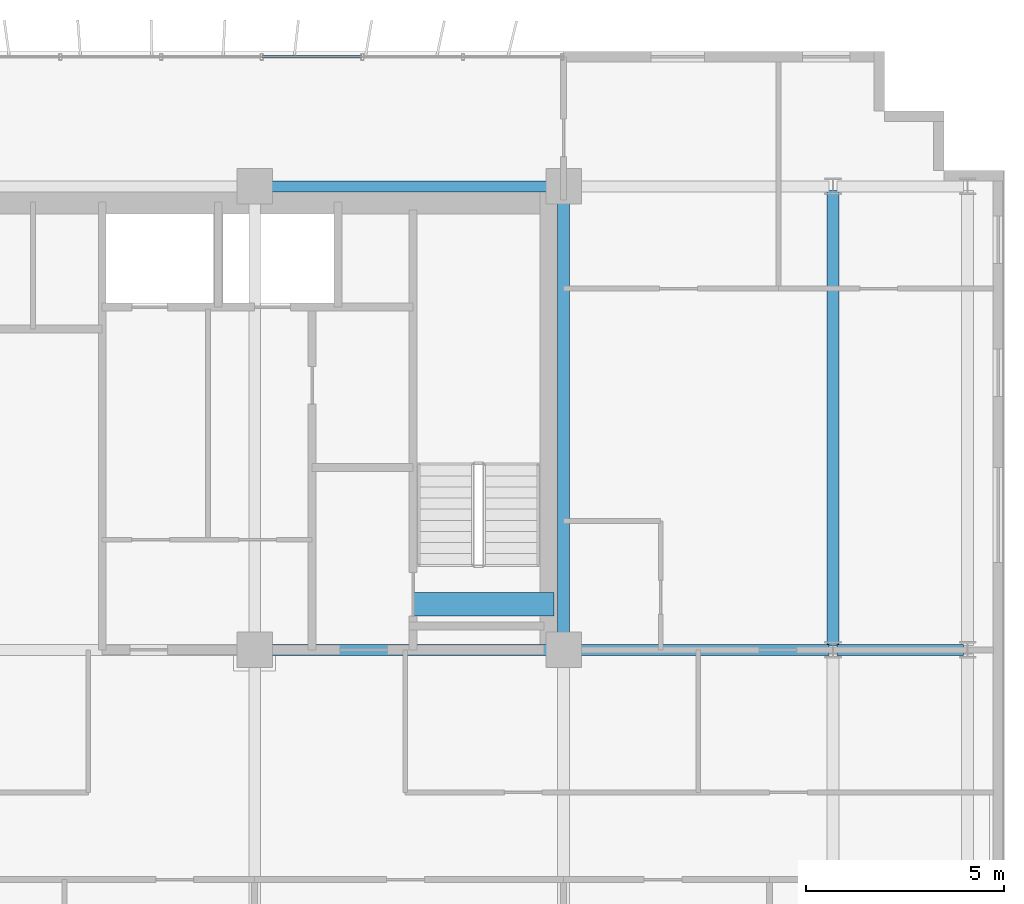
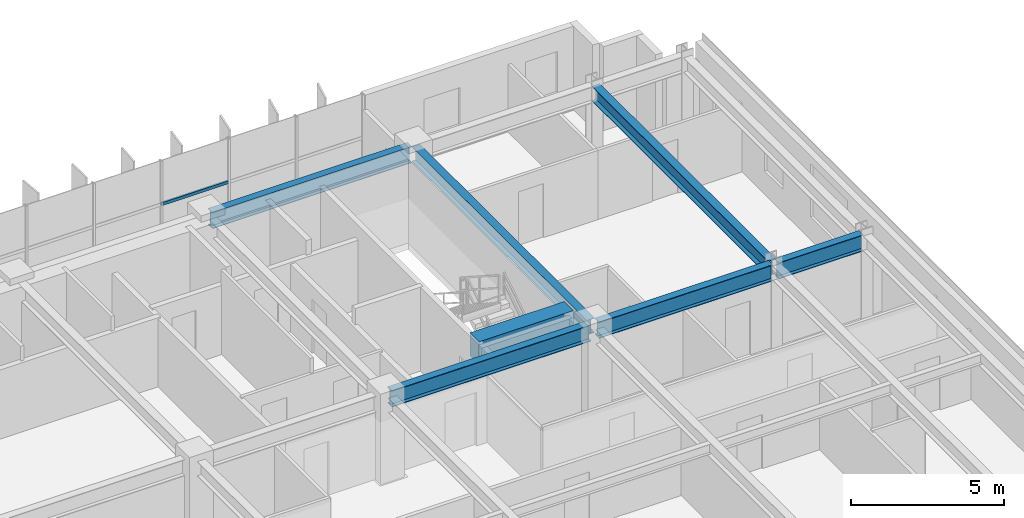
# One storey, part 11 of 22: 7 beams, 1 member, 1 element without a shape of its own.
"""IFC4 building model written with IfcOpenShell, lengths in metres."""

from ifc_helpers import new_model, si_unit, direction, frame, origin, origin_2d, place, context, subcontext, project, spatial, rectangle, hollow_rectangle, i_section, extrude, source, transform, mapped, material, material_profile, profile_set, type_object, element, aggregate, save


model = new_model("IFC4")

# Units and contexts
model_context = context("Model", 3, precision=1e-05, world=origin(), true_north=direction((0.0, 1.0)))
body_context = subcontext(model_context, "Body", "Model", "MODEL_VIEW")
ifc_project = project(units=[si_unit("LENGTHUNIT", "METRE"), si_unit("AREAUNIT", "SQUARE_METRE"), si_unit("VOLUMEUNIT", "CUBIC_METRE"), si_unit("PLANEANGLEUNIT", "RADIAN"), si_unit("MASSUNIT", "GRAM", prefix="KILO")], contexts=[model_context])

# Site, building, storey
site_placement = place(None, origin())
site = spatial("IfcSite", under=ifc_project, at=site_placement, CompositionType="ELEMENT")
building_placement = place(site_placement, origin())
building = spatial("IfcBuilding", under=site, at=building_placement, Name="Trelvane Seafront Commons", CompositionType="ELEMENT")
storey_placement = place(building_placement, frame((0.0, 0.0, 45.10009765625)))
storey = spatial("IfcBuildingStorey", under=building, at=storey_placement, Name="L11", CompositionType="ELEMENT", Elevation=45.10009765625)

# Beams
ifc_material_1 = material(Name="Concrete C60/75", Category="concrete")
ifc_material_profile_1 = material_profile(ifc_material_1, rectangle(XDim=0.60009765625, YDim=0.89990234375, at=origin_2d()), Name="RC-600x900")
ifc_profile_set_1 = profile_set([ifc_material_profile_1], Name="Concrete C60/75")
beam_type_1 = type_object("IfcBeamType", Name="STR-LNT-RC600x900", PredefinedType="LINTEL", material=ifc_profile_set_1)
shared_shape_1 = source(origin(), body_context, "Body", "SweptSolid", [
    extrude(rectangle(XDim=0.60009765625, YDim=0.89990234375, at=origin_2d()), origin(), (0.0, 0.0, 1.0), 3.550048828125),
])
beam_1_placement = place(storey_placement, frame((55.0, 34.550048828125, 2.889892578125), z_axis=(1.0, 0.0, 0.0), x_axis=(0.0, 1.0, 0.0)))
element("IfcBeam", 1, at=beam_1_placement, inside=storey, type_object=beam_type_1, Name="L11 Core Coupling Lintel Beam CB-86", PredefinedType="LINTEL", context=body_context, shape_type="MappedRepresentation", body=[
    mapped(shared_shape_1, transform((0.0, 0.0, 0.0), x_axis=(1.0, 0.0, 0.0), y_axis=(0.0, 1.0, 0.0), z_axis=(0.0, 0.0, 1.0), scale=1.0)),
])
ifc_material_2 = material(Name="Steel SM355 (S355)", Category="steel")
ifc_material_profile_2 = material_profile(ifc_material_2, i_section(OverallWidth=0.280029296875, OverallDepth=0.64990234375, WebThickness=0.012939453125, FlangeThickness=0.02197265625, at=origin_2d()), Name="H-650x280x13x22")
ifc_profile_set_2 = profile_set([ifc_material_profile_2], Name="Steel SM355 (S355)")
beam_type_2 = type_object("IfcBeamType", Name="STR-BM-H650", PredefinedType="BEAM", material=ifc_profile_set_2)
shared_shape_2 = source(origin(), body_context, "Body", "SweptSolid", [
    extrude(i_section(OverallWidth=0.280029296875, OverallDepth=0.64990234375, WebThickness=0.012939453125, FlangeThickness=0.02197265625, at=origin_2d()), origin(), (0.0, 0.0, 1.0), 3.18994140625),
])
beam_2_placement = place(storey_placement, frame((65.705078125, 33.39990234375, 3.014892578125), z_axis=(1.0, 0.0, 0.0), x_axis=(0.0, 1.0, 0.0)))
element("IfcBeam", 2, at=beam_2_placement, inside=storey, type_object=beam_type_2, Name="L11 Primary Girder G-27", PredefinedType="BEAM", context=body_context, shape_type="MappedRepresentation", body=[
    mapped(shared_shape_2, transform((0.0, 0.0, 0.0), x_axis=(1.0, 0.0, 0.0), y_axis=(0.0, 1.0, 0.0), z_axis=(0.0, 0.0, 1.0), scale=1.0)),
])
shared_shape_3 = source(origin(), body_context, "Body", "SweptSolid", [
    extrude(i_section(OverallWidth=0.280029296875, OverallDepth=0.64990234375, WebThickness=0.012939453125, FlangeThickness=0.02197265625, at=origin_2d()), origin(), (0.0, 0.0, 1.0), 6.545166015625),
])
beam_3_placement = place(storey_placement, frame((58.949951171875, 33.39990234375, 3.014892578125), z_axis=(1.0, 0.0, 0.0), x_axis=(0.0, 1.0, 0.0)))
element("IfcBeam", 3, at=beam_3_placement, inside=storey, type_object=beam_type_2, Name="L11 Primary Girder G-26", PredefinedType="BEAM", context=body_context, shape_type="MappedRepresentation", body=[
    mapped(shared_shape_3, transform((0.0, 0.0, 0.0), x_axis=(1.0, 0.0, 0.0), y_axis=(0.0, 1.0, 0.0), z_axis=(0.0, 0.0, 1.0), scale=1.0)),
])
shared_shape_4 = source(origin(), body_context, "Body", "SweptSolid", [
    extrude(i_section(OverallWidth=0.280029296875, OverallDepth=0.64990234375, WebThickness=0.012939453125, FlangeThickness=0.02197265625, at=origin_2d()), origin(), (0.0, 0.0, 1.0), 7.5),
])
for number, where, z_axis, x_axis, name in (
    (4, (51.14990234375, 33.39990234375, 3.014892578125), (1.0, 0.0, 0.0), (0.0, 1.0, 0.0), "L11 Primary Girder G-25"),
    (5, (51.14990234375, 45.10009765625, 3.014892578125), (1.0, 0.0, 0.0), (0.0, 1.0, 0.0), "L11 Primary Girder G-34"),
):
    element("IfcBeam", number, at=place(storey_placement, frame(where, z_axis=z_axis, x_axis=x_axis)), inside=storey, type_object=beam_type_2, Name=name, PredefinedType="BEAM", context=body_context, shape_type="MappedRepresentation", body=[
        mapped(shared_shape_4, transform((0.0, 0.0, 0.0), x_axis=(1.0, 0.0, 0.0), y_axis=(0.0, 1.0, 0.0), z_axis=(0.0, 0.0, 1.0), scale=1.0)),
    ])
ifc_material_profile_3 = material_profile(ifc_material_2, i_section(OverallWidth=0.300048828125, OverallDepth=0.587890625, WebThickness=0.011962890625, FlangeThickness=0.02001953125, at=origin_2d()), Name="H-588x300x12x20")
ifc_profile_set_3 = profile_set([ifc_material_profile_3], Name="Steel SM355 (S355)")
beam_type_3 = type_object("IfcBeamType", Name="STR-BM-H588", PredefinedType="BEAM", material=ifc_profile_set_3)
shared_shape_5 = source(origin(), body_context, "Body", "SweptSolid", [
    extrude(i_section(OverallWidth=0.300048828125, OverallDepth=0.587890625, WebThickness=0.011962890625, FlangeThickness=0.02001953125, at=origin_2d()), origin(), (0.0, 0.0, 1.0), 11.490234375),
])
beam_4_placement = place(storey_placement, frame((65.60009765625, 33.5048828125, 3.0458984375), z_axis=(0.0, 1.0, 0.0), x_axis=(-1.0, 0.0, 0.0)))
element("IfcBeam", 6, at=beam_4_placement, inside=storey, type_object=beam_type_3, Name="L11 Primary Girder G-63", PredefinedType="BEAM", context=body_context, shape_type="MappedRepresentation", body=[
    mapped(shared_shape_5, transform((0.0, 0.0, 0.0), x_axis=(1.0, 0.0, 0.0), y_axis=(0.0, 1.0, 0.0), z_axis=(0.0, 0.0, 1.0), scale=1.0)),
])
shared_shape_6 = source(origin(), body_context, "Body", "SweptSolid", [
    extrude(i_section(OverallWidth=0.300048828125, OverallDepth=0.587890625, WebThickness=0.011962890625, FlangeThickness=0.02001953125, at=origin_2d()), origin(), (0.0, 0.0, 1.0), 11.39990234375),
])
beam_5_placement = place(storey_placement, frame((58.800048828125, 33.550048828125, 3.0458984375), z_axis=(0.0, 1.0, 0.0), x_axis=(-1.0, 0.0, 0.0)))
element("IfcBeam", 7, at=beam_5_placement, inside=storey, type_object=beam_type_3, Name="L11 Primary Girder G-60", PredefinedType="BEAM", context=body_context, shape_type="MappedRepresentation", body=[
    mapped(shared_shape_6, transform((0.0, 0.0, 0.0), x_axis=(1.0, 0.0, 0.0), y_axis=(0.0, 1.0, 0.0), z_axis=(0.0, 0.0, 1.0), scale=1.0)),
])

# Curtain wall, member
ifc_material_3 = material(Name="Anodised pale-silver aluminium", Category="aluminium")
curtain_wall_type = type_object("IfcCurtainWallType", Name="ARCH-CW2-LOWTOWER", PredefinedType="NOTDEFINED", material=ifc_material_3)
curtain_wall_placement = place(storey_placement, origin())
curtain_wall = element("IfcCurtainWall", 8, at=curtain_wall_placement, inside=storey, type_object=curtain_wall_type, Name="CW-L11-0035", PredefinedType="NOTDEFINED")
ifc_material_profile_4 = material_profile(ifc_material_3, hollow_rectangle(XDim=0.070068359375, YDim=0.1201171875, WallThickness=0.00390625, at=origin_2d()), Name="TRAN-70x120x4")
ifc_profile_set_4 = profile_set([ifc_material_profile_4], Name="Anodised pale-silver aluminium")
member_type = type_object("IfcMemberType", Name="ARCH-CW-TRAN-120", PredefinedType="USERDEFINED", material=ifc_profile_set_4)
shared_shape_7 = source(origin(), body_context, "Body", "SweptSolid", [
    extrude(hollow_rectangle(XDim=0.070068359375, YDim=0.1201171875, WallThickness=0.00390625, at=origin_2d()), origin(), (0.0, 0.0, 1.0), 2.51708984375),
])
member_placement = place(storey_placement, frame((51.1884765625, 48.3701171875, 1.602783203125), z_axis=(1.0, 0.0, 0.0), x_axis=(0.0, 1.0, 0.0)))
member = element("IfcMember", 9, at=member_placement, type_object=member_type, Name="CW-L11-0035-T14", ObjectType="TRANSOM", PredefinedType="USERDEFINED", context=body_context, shape_type="MappedRepresentation", body=[
    mapped(shared_shape_7, transform((0.0, 0.0, 0.0), x_axis=(1.0, 0.0, 0.0), y_axis=(0.0, 1.0, 0.0), z_axis=(0.0, 0.0, 1.0), scale=1.0)),
])
aggregate(curtain_wall, [member])

save(model, "model.ifc")
